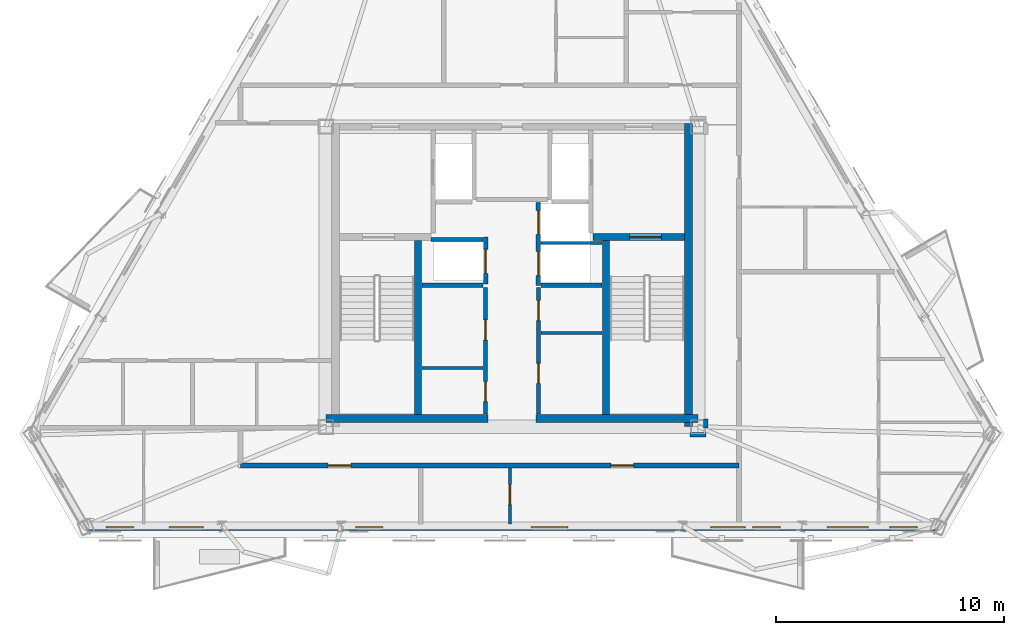
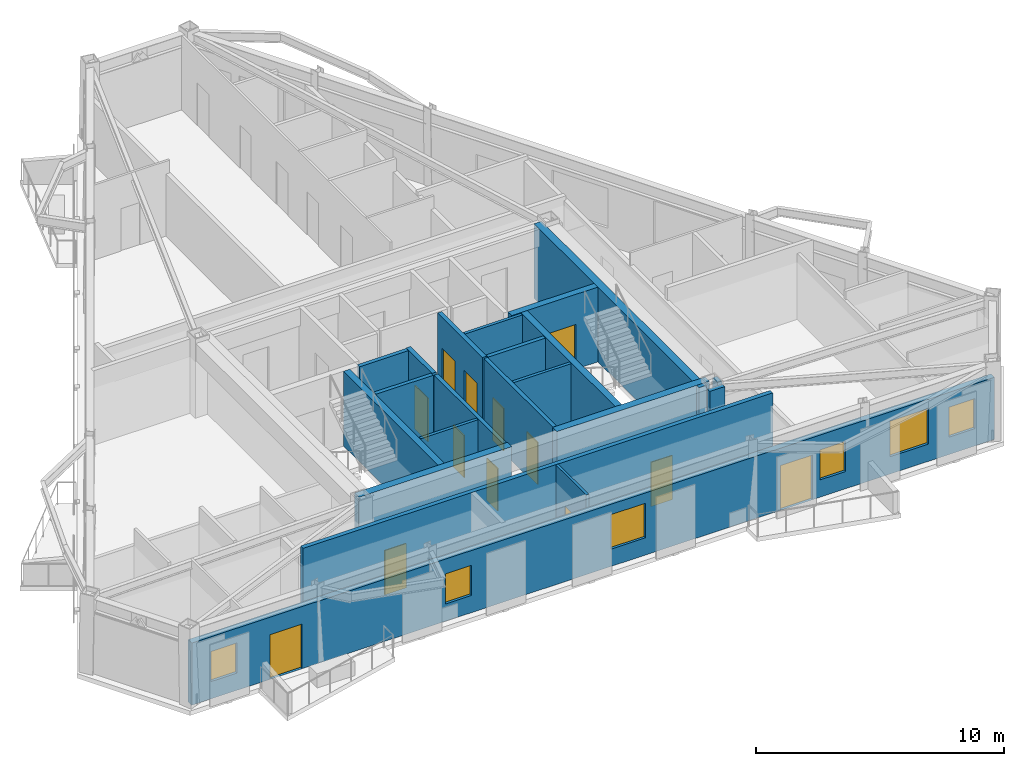
# One storey, part 3 of 9: 21 walls, 13 doors, 6 windows, 19 openings.
"""IFC4 building model written with IfcOpenShell, lengths in metres."""

from ifc_helpers import new_model, si_unit, direction, frame, frame_2d, origin, place, context, subcontext, project, spatial, rectangle, extrude, material, layer, layer_set, type_object, element, fill, save


model = new_model("IFC4")

# Units and contexts
model_context = context("Model", 3, precision=1e-05, world=origin(), true_north=direction((0.0, 1.0)))
body_context = subcontext(model_context, "Body", "Model", "MODEL_VIEW")
ifc_project = project(units=[si_unit("LENGTHUNIT", "METRE"), si_unit("AREAUNIT", "SQUARE_METRE"), si_unit("VOLUMEUNIT", "CUBIC_METRE"), si_unit("PLANEANGLEUNIT", "RADIAN"), si_unit("MASSUNIT", "GRAM", prefix="KILO")], contexts=[model_context])

# Site, building, storey
site_placement = place(None, origin())
site = spatial("IfcSite", under=ifc_project, at=site_placement, CompositionType="ELEMENT")
building_placement = place(site_placement, origin())
building = spatial("IfcBuilding", under=site, at=building_placement, Name="Oramaril Tower", CompositionType="ELEMENT")
storey_placement = place(building_placement, frame((0.0, 0.0, 273.300048828125)))
storey = spatial("IfcBuildingStorey", under=building, at=storey_placement, Name="L72", CompositionType="ELEMENT", Elevation=273.300048828125)

# Wall, openings, doors, windows
ifc_material_1 = material(Name="Warm Cream Limestone", Category="masonry")
ifc_layer_1 = layer(ifc_material_1, 0.2900390625)
ifc_layer_set_1 = layer_set([ifc_layer_1], Name="WT-EXT29")
wall_type_1 = type_object("IfcWallType", Name="WT-EXT29", PredefinedType="SOLIDWALL", material=ifc_layer_set_1)
wall_1_placement = place(storey_placement, frame((18.82861328125, 6.593994140625, 0.0), z_axis=(0.0, 0.0, 1.0), x_axis=(1.0, 0.0, 0.0)))
wall_1 = element("IfcWall", 1, at=wall_1_placement, inside=storey, type_object=wall_type_1, Name="L72 Tower Limestone Facade Wall 2M", PredefinedType="SOLIDWALL", context=body_context, shape_type="SweptSolid", body=[
    extrude(rectangle(XDim=37.3427734375, YDim=0.2900390625, at=frame_2d((18.67138671875, 0.0))), origin(), (0.0, 0.0, 1.0), 3.057861328125),
])
opening_1_placement = place(wall_1_placement, frame((3.639404296875, 0.0, 0.0)))
opening_1 = element("IfcOpeningElement", 2, at=opening_1_placement, cuts=wall_1, Name="Opening D-L72-BAL-S1", PredefinedType="OPENING", context=body_context, shape_type="SweptSolid", body=[
    extrude(rectangle(XDim=1.5, YDim=2.199951171875, at=frame_2d((0.75, 1.10009765625))), frame((0.0, 0.14501953125, 0.0), z_axis=(0.0, -1.0, 0.0), x_axis=(1.0, 0.0, 0.0)), (0.0, 0.0, 1.0), 0.2900390625),
])
opening_2_placement = place(wall_1_placement, frame((27.388427734375, 0.0, 0.0)))
opening_2 = element("IfcOpeningElement", 3, at=opening_2_placement, cuts=wall_1, Name="Opening D-L72-BAL-S2", PredefinedType="OPENING", context=body_context, shape_type="SweptSolid", body=[
    extrude(rectangle(XDim=1.5, YDim=2.199951171875, at=frame_2d((0.75, 1.10009765625))), frame((0.0, 0.14501953125, 0.0), z_axis=(0.0, -1.0, 0.0), x_axis=(1.0, 0.0, 0.0)), (0.0, 0.0, 1.0), 0.2900390625),
])
opening_3_placement = place(wall_1_placement, frame((11.81298828125, 0.0, 0.85009765625)))
opening_3 = element("IfcOpeningElement", 4, at=opening_3_placement, cuts=wall_1, Name="Opening WN-09", PredefinedType="OPENING", context=body_context, shape_type="SweptSolid", body=[
    extrude(rectangle(XDim=1.199951171875, YDim=1.47998046875, at=frame_2d((0.60009765625, 0.739990234375))), frame((0.0, 0.14501953125, 0.0), z_axis=(0.0, -1.0, 0.0), x_axis=(1.0, 0.0, 0.0)), (0.0, 0.0, 1.0), 0.2900390625),
])
opening_4_placement = place(wall_1_placement, frame((0.89697265625, 0.0, 0.85009765625)))
opening_4 = element("IfcOpeningElement", 5, at=opening_4_placement, cuts=wall_1, Name="Opening WN-09", PredefinedType="OPENING", context=body_context, shape_type="SweptSolid", body=[
    extrude(rectangle(XDim=1.199951171875, YDim=1.47998046875, at=frame_2d((0.60009765625, 0.739990234375))), frame((0.0, 0.14501953125, 0.0), z_axis=(0.0, -1.0, 0.0), x_axis=(1.0, 0.0, 0.0)), (0.0, 0.0, 1.0), 0.2900390625),
])
opening_5_placement = place(wall_1_placement, frame((19.51220703125, 0.0, 0.85009765625)))
opening_5 = element("IfcOpeningElement", 6, at=opening_5_placement, cuts=wall_1, Name="Opening WN-07", PredefinedType="OPENING", context=body_context, shape_type="SweptSolid", body=[
    extrude(rectangle(XDim=1.60009765625, YDim=1.699951171875, at=frame_2d((0.800048828125, 0.85009765625))), frame((0.0, 0.14501953125, 0.0), z_axis=(0.0, -1.0, 0.0), x_axis=(1.0, 0.0, 0.0)), (0.0, 0.0, 1.0), 0.2900390625),
])
opening_6_placement = place(wall_1_placement, frame((29.2236328125, 0.0, 0.85009765625)))
opening_6 = element("IfcOpeningElement", 7, at=opening_6_placement, cuts=wall_1, Name="Opening WN-09", PredefinedType="OPENING", context=body_context, shape_type="SweptSolid", body=[
    extrude(rectangle(XDim=1.199951171875, YDim=1.47998046875, at=frame_2d((0.60009765625, 0.739990234375))), frame((0.0, 0.14501953125, 0.0), z_axis=(0.0, -1.0, 0.0), x_axis=(1.0, 0.0, 0.0)), (0.0, 0.0, 1.0), 0.2900390625),
])
opening_7_placement = place(wall_1_placement, frame((32.4775390625, 0.0, 0.85009765625)))
opening_7 = element("IfcOpeningElement", 8, at=opening_7_placement, cuts=wall_1, Name="Opening WN-06", PredefinedType="OPENING", context=body_context, shape_type="SweptSolid", body=[
    extrude(rectangle(XDim=1.800048828125, YDim=1.75, at=frame_2d((0.89990234375, 0.875))), frame((0.0, 0.14501953125, 0.0), z_axis=(0.0, -1.0, 0.0), x_axis=(1.0, 0.0, 0.0)), (0.0, 0.0, 1.0), 0.2900390625),
])
opening_8_placement = place(wall_1_placement, frame((35.22998046875, 0.0, 0.85009765625)))
opening_8 = element("IfcOpeningElement", 9, at=opening_8_placement, cuts=wall_1, Name="Opening WN-09", PredefinedType="OPENING", context=body_context, shape_type="SweptSolid", body=[
    extrude(rectangle(XDim=1.199951171875, YDim=1.47998046875, at=frame_2d((0.60009765625, 0.739990234375))), frame((0.0, 0.14501953125, 0.0), z_axis=(0.0, -1.0, 0.0), x_axis=(1.0, 0.0, 0.0)), (0.0, 0.0, 1.0), 0.2900390625),
])
ifc_material_2 = material(Name="Anodised Aluminium 6063-T6", Category="aluminium")
door_type_1 = type_object("IfcDoorType", Name="DT-BAL", OperationType="NOTDEFINED", PredefinedType="DOOR", material=ifc_material_2)
door_1_placement = place(opening_1_placement, origin())
door_1 = element("IfcDoor", 10, at=door_1_placement, inside=storey, type_object=door_type_1, Name="L72 Balcony Glazed Door L72-BAL-S1", OperationType="SINGLE_SWING_LEFT", OverallHeight=2.199951171875, OverallWidth=1.5, PredefinedType="DOOR", context=body_context, shape_type="SweptSolid", body=[
    extrude(rectangle(XDim=1.5, YDim=2.199951171875, at=frame_2d((0.75, 1.10009765625))), frame((0.0, 0.02490234375, 0.0), z_axis=(0.0, -1.0, 0.0), x_axis=(1.0, 0.0, 0.0)), (0.0, 0.0, 1.0), 0.050048828125),
])
fill(opening_1, door_1)
door_2_placement = place(opening_2_placement, origin())
door_2 = element("IfcDoor", 11, at=door_2_placement, inside=storey, type_object=door_type_1, Name="L72 Balcony Glazed Door L72-BAL-S2", OperationType="SINGLE_SWING_RIGHT", OverallHeight=2.199951171875, OverallWidth=1.5, PredefinedType="DOOR", context=body_context, shape_type="SweptSolid", body=[
    extrude(rectangle(XDim=1.5, YDim=2.199951171875, at=frame_2d((0.75, 1.10009765625))), frame((0.0, 0.02490234375, 0.0), z_axis=(0.0, -1.0, 0.0), x_axis=(1.0, 0.0, 0.0)), (0.0, 0.0, 1.0), 0.050048828125),
])
fill(opening_2, door_2)
ifc_material_3 = material(Name="Coastal Low-E Insulated Glass", Category="glass")
window_type_1 = type_object("IfcWindowType", Name="WNT-06", PartitioningType="SINGLE_PANEL", PredefinedType="WINDOW", material=ifc_material_3)
window_1_placement = place(opening_7_placement, origin())
window_1 = element("IfcWindow", 12, at=window_1_placement, inside=storey, type_object=window_type_1, Name="L72 Chicago Bay Window WN-06", OverallHeight=1.75, OverallWidth=1.800048828125, PartitioningType="SINGLE_PANEL", PredefinedType="WINDOW", context=body_context, shape_type="SweptSolid", body=[
    extrude(rectangle(XDim=1.800048828125, YDim=1.75, at=frame_2d((0.89990234375, 0.875))), frame((0.0, 0.030029296875, 0.0), z_axis=(0.0, -1.0, 0.0), x_axis=(1.0, 0.0, 0.0)), (0.0, 0.0, 1.0), 0.06005859375),
])
fill(opening_7, window_1)
ifc_material_4 = material(Name="Coastal Low-E Insulated Glass", Category="glass")
window_type_2 = type_object("IfcWindowType", Name="WNT-07", PartitioningType="SINGLE_PANEL", PredefinedType="WINDOW", material=ifc_material_4)
window_2_placement = place(opening_5_placement, origin())
window_2 = element("IfcWindow", 13, at=window_2_placement, inside=storey, type_object=window_type_2, Name="L72 Chicago Bay Window WN-07", OverallHeight=1.699951171875, OverallWidth=1.60009765625, PartitioningType="SINGLE_PANEL", PredefinedType="WINDOW", context=body_context, shape_type="SweptSolid", body=[
    extrude(rectangle(XDim=1.60009765625, YDim=1.699951171875, at=frame_2d((0.800048828125, 0.85009765625))), frame((0.0, 0.030029296875, 0.0), z_axis=(0.0, -1.0, 0.0), x_axis=(1.0, 0.0, 0.0)), (0.0, 0.0, 1.0), 0.06005859375),
])
fill(opening_5, window_2)
ifc_material_5 = material(Name="Coastal Low-E Insulated Glass", Category="glass")
window_type_3 = type_object("IfcWindowType", Name="WNT-09", PartitioningType="SINGLE_PANEL", PredefinedType="WINDOW", material=ifc_material_5)
window_3_placement = place(opening_3_placement, origin())
window_3 = element("IfcWindow", 14, at=window_3_placement, inside=storey, type_object=window_type_3, Name="L72 Chicago Bay Window WN-09", OverallHeight=1.47998046875, OverallWidth=1.199951171875, PartitioningType="SINGLE_PANEL", PredefinedType="WINDOW", context=body_context, shape_type="SweptSolid", body=[
    extrude(rectangle(XDim=1.199951171875, YDim=1.47998046875, at=frame_2d((0.60009765625, 0.739990234375))), frame((0.0, 0.030029296875, 0.0), z_axis=(0.0, -1.0, 0.0), x_axis=(1.0, 0.0, 0.0)), (0.0, 0.0, 1.0), 0.06005859375),
])
fill(opening_3, window_3)
window_4_placement = place(opening_4_placement, origin())
window_4 = element("IfcWindow", 15, at=window_4_placement, inside=storey, type_object=window_type_3, Name="L72 Chicago Bay Window WN-09", OverallHeight=1.47998046875, OverallWidth=1.199951171875, PartitioningType="SINGLE_PANEL", PredefinedType="WINDOW", context=body_context, shape_type="SweptSolid", body=[
    extrude(rectangle(XDim=1.199951171875, YDim=1.47998046875, at=frame_2d((0.60009765625, 0.739990234375))), frame((0.0, 0.030029296875, 0.0), z_axis=(0.0, -1.0, 0.0), x_axis=(1.0, 0.0, 0.0)), (0.0, 0.0, 1.0), 0.06005859375),
])
fill(opening_4, window_4)
window_5_placement = place(opening_6_placement, origin())
window_5 = element("IfcWindow", 16, at=window_5_placement, inside=storey, type_object=window_type_3, Name="L72 Chicago Bay Window WN-09", OverallHeight=1.47998046875, OverallWidth=1.199951171875, PartitioningType="SINGLE_PANEL", PredefinedType="WINDOW", context=body_context, shape_type="SweptSolid", body=[
    extrude(rectangle(XDim=1.199951171875, YDim=1.47998046875, at=frame_2d((0.60009765625, 0.739990234375))), frame((0.0, 0.030029296875, 0.0), z_axis=(0.0, -1.0, 0.0), x_axis=(1.0, 0.0, 0.0)), (0.0, 0.0, 1.0), 0.06005859375),
])
fill(opening_6, window_5)
window_6_placement = place(opening_8_placement, origin())
window_6 = element("IfcWindow", 17, at=window_6_placement, inside=storey, type_object=window_type_3, Name="L72 Chicago Bay Window WN-09", OverallHeight=1.47998046875, OverallWidth=1.199951171875, PartitioningType="SINGLE_PANEL", PredefinedType="WINDOW", context=body_context, shape_type="SweptSolid", body=[
    extrude(rectangle(XDim=1.199951171875, YDim=1.47998046875, at=frame_2d((0.60009765625, 0.739990234375))), frame((0.0, 0.030029296875, 0.0), z_axis=(0.0, -1.0, 0.0), x_axis=(1.0, 0.0, 0.0)), (0.0, 0.0, 1.0), 0.06005859375),
])
fill(opening_8, window_6)

# Wall, opening, door
ifc_material_6 = material(Name="Acoustic Gypsum Board Partition")
ifc_layer_2 = layer(ifc_material_6, 0.1201171875)
ifc_layer_set_2 = layer_set([ifc_layer_2], Name="WT-PT12")
wall_type_2 = type_object("IfcWallType", Name="WT-PT12", PredefinedType="PARTITIONING", material=ifc_layer_set_2)
wall_2_placement = place(storey_placement, frame((37.409912109375, 6.7431640625, 0.0), z_axis=(0.0, 0.0, 1.0), x_axis=(0.0, 1.0, 0.0)))
wall_2 = element("IfcWall", 18, at=wall_2_placement, inside=storey, type_object=wall_type_2, Name="L72 Interior Partition PT-12", PredefinedType="PARTITIONING", context=body_context, shape_type="SweptSolid", body=[
    extrude(rectangle(XDim=2.452880859375, YDim=0.1201171875, at=frame_2d((1.2265625, 0.0))), origin(), (0.0, 0.0, 1.0), 3.679931640625),
])
opening_9_placement = place(wall_2_placement, frame((0.839111328125, 0.0, 0.0)))
opening_9 = element("IfcOpeningElement", 19, at=opening_9_placement, cuts=wall_2, Name="Opening D-L72-16", PredefinedType="OPENING", context=body_context, shape_type="SweptSolid", body=[
    extrude(rectangle(XDim=0.8798828125, YDim=2.080078125, at=frame_2d((0.43994140625, 1.0400390625))), frame((0.0, 0.06005859375, 0.0), z_axis=(0.0, -1.0, 0.0), x_axis=(1.0, 0.0, 0.0)), (0.0, 0.0, 1.0), 0.1201171875),
])
ifc_material_7 = material(Name="FSC Brazilian Freijo Hardwood", Category="wood")
door_type_2 = type_object("IfcDoorType", Name="DT-BATH", OperationType="NOTDEFINED", PredefinedType="DOOR", material=ifc_material_7)
door_3_placement = place(opening_9_placement, origin())
door_3 = element("IfcDoor", 20, at=door_3_placement, inside=storey, type_object=door_type_2, Name="L72 Flat L72-U2 Bathroom Door D-L72-16", OperationType="SINGLE_SWING_LEFT", OverallHeight=2.080078125, OverallWidth=0.8798828125, PredefinedType="DOOR", context=body_context, shape_type="SweptSolid", body=[
    extrude(rectangle(XDim=0.8798828125, YDim=2.080078125, at=frame_2d((0.43994140625, 1.0400390625))), frame((0.0, 0.02490234375, 0.0), z_axis=(0.0, -1.0, 0.0), x_axis=(1.0, 0.0, 0.0)), (0.0, 0.0, 1.0), 0.050048828125),
])
fill(opening_9, door_3)

# Walls
ifc_material_8 = material(Name="Acoustic Gypsum Board Partition")
ifc_layer_3 = layer(ifc_material_8, 0.139892578125)
ifc_layer_set_3 = layer_set([ifc_layer_3], Name="WT-PT14")
wall_type_3 = type_object("IfcWallType", Name="WT-PT14", PredefinedType="PARTITIONING", material=ifc_layer_set_3)
for number, where, z_axis, x_axis, name in (
    (21, (33.56005859375, 13.570068359375, 0.0), (0.0, 0.0, 1.0), (1.0, 0.0, 0.0), "L72 Freed Shaft Divider"),
    (22, (38.780029296875, 19.050048828125, 0.0), (0.0, 0.0, 1.0), (1.0, 0.0, 0.0), "L72 High-Rise Lift H2-H3 Divider"),
    (23, (38.780029296875, 15.110107421875, 0.0), (0.0, 0.0, 1.0), (1.0, 0.0, 0.0), "L72 Freed Shaft Divider"),
):
    element("IfcWall", number, at=place(storey_placement, frame(where, z_axis=z_axis, x_axis=x_axis)), inside=storey, type_object=wall_type_3, Name=name, PredefinedType="PARTITIONING", context=body_context, shape_type="SweptSolid", body=[
        extrude(rectangle(XDim=2.659912109375, YDim=0.139892578125, at=frame_2d((1.330078125, 0.0))), origin(), (0.0, 0.0, 1.0), 3.679931640625),
    ])
ifc_material_9 = material(Name="Autoclaved Cellular Concrete Block", Category="concrete")
ifc_layer_4 = layer(ifc_material_9, 0.179931640625)
ifc_layer_set_4 = layer_set([ifc_layer_4], Name="WT-PT18")
wall_type_4 = type_object("IfcWallType", Name="WT-PT18", PredefinedType="PARTITIONING", material=ifc_layer_set_4)
wall_3_placement = place(storey_placement, frame((33.949951171875, 19.199951171875, 0.0), z_axis=(0.0, 0.0, 1.0), x_axis=(1.0, 0.0, 0.0)))
element("IfcWall", 24, at=wall_3_placement, inside=storey, type_object=wall_type_4, Name="L72 High-Rise Lift H1 North Shaft Wall", PredefinedType="PARTITIONING", context=body_context, shape_type="SweptSolid", body=[
    extrude(rectangle(XDim=2.27001953125, YDim=0.179931640625, at=frame_2d((1.135009765625, 0.0))), origin(), (0.0, 0.0, 1.0), 3.679931640625),
])
wall_4_placement = place(storey_placement, frame((33.56005859375, 17.199951171875, 0.0), z_axis=(0.0, 0.0, 1.0), x_axis=(1.0, 0.0, 0.0)))
element("IfcWall", 25, at=wall_4_placement, inside=storey, type_object=wall_type_4, Name="L72 High-Rise Lift H1 South Wall", PredefinedType="PARTITIONING", context=body_context, shape_type="SweptSolid", body=[
    extrude(rectangle(XDim=2.659912109375, YDim=0.179931640625, at=frame_2d((1.330078125, 0.0))), origin(), (0.0, 0.0, 1.0), 3.679931640625),
])

# Wall, openings, doors
wall_5_placement = place(storey_placement, frame((36.340087890625, 11.550048828125, 0.0), z_axis=(0.0, 0.0, 1.0), x_axis=(0.0, 1.0, 0.0)))
wall_5 = element("IfcWall", 26, at=wall_5_placement, inside=storey, type_object=wall_type_4, Name="L72 Freed Shaft Study East Wall", PredefinedType="PARTITIONING", context=body_context, shape_type="SweptSolid", body=[
    extrude(rectangle(XDim=5.550048828125, YDim=0.179931640625, at=frame_2d((2.77490234375, 0.0))), origin(), (0.0, 0.0, 1.0), 3.679931640625),
])
opening_10_placement = place(wall_5_placement, frame((0.550048828125, 0.0, 0.0)))
opening_10 = element("IfcOpeningElement", 27, at=opening_10_placement, cuts=wall_5, Name="Opening D-L72-FL1", PredefinedType="OPENING", context=body_context, shape_type="SweptSolid", body=[
    extrude(rectangle(XDim=0.8798828125, YDim=2.080078125, at=frame_2d((0.43994140625, 1.0400390625))), frame((0.0, 0.08984375, 0.0), z_axis=(0.0, -1.0, 0.0), x_axis=(1.0, 0.0, 0.0)), (0.0, 0.0, 1.0), 0.179931640625),
])
opening_11_placement = place(wall_5_placement, frame((3.25, 0.0, 0.0)))
opening_11 = element("IfcOpeningElement", 28, at=opening_11_placement, cuts=wall_5, Name="Opening D-L72-FL2", PredefinedType="OPENING", context=body_context, shape_type="SweptSolid", body=[
    extrude(rectangle(XDim=0.8798828125, YDim=2.080078125, at=frame_2d((0.43994140625, 1.0400390625))), frame((0.0, 0.08984375, 0.0), z_axis=(0.0, -1.0, 0.0), x_axis=(1.0, 0.0, 0.0)), (0.0, 0.0, 1.0), 0.179931640625),
])
door_4_placement = place(opening_10_placement, origin())
door_4 = element("IfcDoor", 29, at=door_4_placement, inside=storey, type_object=door_type_2, Name="L72 L72 Residents Tasting Dining Nook Door", OperationType="SINGLE_SWING_LEFT", OverallHeight=2.080078125, OverallWidth=0.8798828125, PredefinedType="DOOR", context=body_context, shape_type="SweptSolid", body=[
    extrude(rectangle(XDim=0.8798828125, YDim=2.080078125, at=frame_2d((0.43994140625, 1.0400390625))), frame((0.0, 0.02490234375, 0.0), z_axis=(0.0, -1.0, 0.0), x_axis=(1.0, 0.0, 0.0)), (0.0, 0.0, 1.0), 0.050048828125),
])
fill(opening_10, door_4)
door_5_placement = place(opening_11_placement, origin())
door_5 = element("IfcDoor", 30, at=door_5_placement, inside=storey, type_object=door_type_2, Name="L72 L72 Floor Co-Work Office Door", OperationType="SINGLE_SWING_RIGHT", OverallHeight=2.080078125, OverallWidth=0.8798828125, PredefinedType="DOOR", context=body_context, shape_type="SweptSolid", body=[
    extrude(rectangle(XDim=0.8798828125, YDim=2.080078125, at=frame_2d((0.43994140625, 1.0400390625))), frame((0.0, 0.02490234375, 0.0), z_axis=(0.0, -1.0, 0.0), x_axis=(1.0, 0.0, 0.0)), (0.0, 0.0, 1.0), 0.050048828125),
])
fill(opening_11, door_5)

# Wall
wall_6_placement = place(storey_placement, frame((38.780029296875, 17.199951171875, 0.0), z_axis=(0.0, 0.0, 1.0), x_axis=(1.0, 0.0, 0.0)))
element("IfcWall", 31, at=wall_6_placement, inside=storey, type_object=wall_type_4, Name="L72 High-Rise Lift H2 South Wall", PredefinedType="PARTITIONING", context=body_context, shape_type="SweptSolid", body=[
    extrude(rectangle(XDim=2.659912109375, YDim=0.179931640625, at=frame_2d((1.330078125, 0.0))), origin(), (0.0, 0.0, 1.0), 3.679931640625),
])

# Wall, openings, doors
wall_7_placement = place(storey_placement, frame((38.659912109375, 11.550048828125, 0.0), z_axis=(0.0, 0.0, 1.0), x_axis=(0.0, 1.0, 0.0)))
wall_7 = element("IfcWall", 32, at=wall_7_placement, inside=storey, type_object=wall_type_4, Name="L72 Freed Shaft Alcove West Wall", PredefinedType="PARTITIONING", context=body_context, shape_type="SweptSolid", body=[
    extrude(rectangle(XDim=5.550048828125, YDim=0.179931640625, at=frame_2d((2.77490234375, 0.0))), origin(), (0.0, 0.0, 1.0), 3.679931640625),
])
opening_12_placement = place(wall_7_placement, frame((1.35009765625, 0.0, 0.0)))
opening_12 = element("IfcOpeningElement", 33, at=opening_12_placement, cuts=wall_7, Name="Opening D-L72-FM1", PredefinedType="OPENING", context=body_context, shape_type="SweptSolid", body=[
    extrude(rectangle(XDim=0.8798828125, YDim=2.080078125, at=frame_2d((0.43994140625, 1.0400390625))), frame((0.0, 0.08984375, 0.0), z_axis=(0.0, -1.0, 0.0), x_axis=(1.0, 0.0, 0.0)), (0.0, 0.0, 1.0), 0.179931640625),
])
opening_13_placement = place(wall_7_placement, frame((4.10009765625, 0.0, 0.0)))
opening_13 = element("IfcOpeningElement", 34, at=opening_13_placement, cuts=wall_7, Name="Opening D-L72-FM2", PredefinedType="OPENING", context=body_context, shape_type="SweptSolid", body=[
    extrude(rectangle(XDim=0.8798828125, YDim=2.080078125, at=frame_2d((0.43994140625, 1.0400390625))), frame((0.0, 0.08984375, 0.0), z_axis=(0.0, -1.0, 0.0), x_axis=(1.0, 0.0, 0.0)), (0.0, 0.0, 1.0), 0.179931640625),
])
door_6_placement = place(opening_12_placement, origin())
door_6 = element("IfcDoor", 35, at=door_6_placement, inside=storey, type_object=door_type_2, Name="L72 L72 Private Home Office Door", OperationType="SINGLE_SWING_RIGHT", OverallHeight=2.080078125, OverallWidth=0.8798828125, PredefinedType="DOOR", context=body_context, shape_type="SweptSolid", body=[
    extrude(rectangle(XDim=0.8798828125, YDim=2.080078125, at=frame_2d((0.43994140625, 1.0400390625))), frame((0.0, 0.02490234375, 0.0), z_axis=(0.0, -1.0, 0.0), x_axis=(1.0, 0.0, 0.0)), (0.0, 0.0, 1.0), 0.050048828125),
])
fill(opening_12, door_6)
door_7_placement = place(opening_13_placement, origin())
door_7 = element("IfcDoor", 36, at=door_7_placement, inside=storey, type_object=door_type_2, Name="L72 L72 Sky Tea Dining Alcove Door", OperationType="SINGLE_SWING_LEFT", OverallHeight=2.080078125, OverallWidth=0.8798828125, PredefinedType="DOOR", context=body_context, shape_type="SweptSolid", body=[
    extrude(rectangle(XDim=0.8798828125, YDim=2.080078125, at=frame_2d((0.43994140625, 1.0400390625))), frame((0.0, 0.02490234375, 0.0), z_axis=(0.0, -1.0, 0.0), x_axis=(1.0, 0.0, 0.0)), (0.0, 0.0, 1.0), 0.050048828125),
])
fill(opening_13, door_7)

ifc_material_10 = material(Name="Autoclaved Cellular Concrete Block", Category="concrete")
ifc_layer_5 = layer(ifc_material_10, 0.199951171875)
ifc_layer_set_5 = layer_set([ifc_layer_5], Name="WT-PT20")
wall_type_5 = type_object("IfcWallType", Name="WT-PT20", PredefinedType="PARTITIONING", material=ifc_layer_set_5)
wall_8_placement = place(storey_placement, frame((25.60009765625, 9.300048828125, 0.0), z_axis=(0.0, 0.0, 1.0), x_axis=(1.0, 0.0, 0.0)))
wall_8 = element("IfcWall", 37, at=wall_8_placement, inside=storey, type_object=wall_type_5, Name="L72 Interior Partition PT-20", PredefinedType="PARTITIONING", context=body_context, shape_type="SweptSolid", body=[
    extrude(rectangle(XDim=21.849853515625, YDim=0.199951171875, at=frame_2d((10.9248046875, 0.0))), origin(), (0.0, 0.0, 1.0), 3.679931640625),
])
opening_14_placement = place(wall_8_placement, frame((3.841064453125, 0.0, 0.0)))
opening_14 = element("IfcOpeningElement", 38, at=opening_14_placement, cuts=wall_8, Name="Opening D-L72-01", PredefinedType="OPENING", context=body_context, shape_type="SweptSolid", body=[
    extrude(rectangle(XDim=1.0, YDim=2.179931640625, at=frame_2d((0.5, 1.08984375))), frame((0.0, 0.10009765625, 0.0), z_axis=(0.0, -1.0, 0.0), x_axis=(1.0, 0.0, 0.0)), (0.0, 0.0, 1.0), 0.199951171875),
])
opening_15_placement = place(wall_8_placement, frame((16.232421875, 0.0, 0.0)))
opening_15 = element("IfcOpeningElement", 39, at=opening_15_placement, cuts=wall_8, Name="Opening D-L72-02", PredefinedType="OPENING", context=body_context, shape_type="SweptSolid", body=[
    extrude(rectangle(XDim=1.0, YDim=2.179931640625, at=frame_2d((0.5, 1.08984375))), frame((0.0, 0.10009765625, 0.0), z_axis=(0.0, -1.0, 0.0), x_axis=(1.0, 0.0, 0.0)), (0.0, 0.0, 1.0), 0.199951171875),
])
ifc_material_11 = material(Name="FSC Brazilian Freijo Hardwood", Category="wood")
door_type_3 = type_object("IfcDoorType", Name="DT-APT", OperationType="NOTDEFINED", PredefinedType="DOOR", material=ifc_material_11)
door_8_placement = place(opening_14_placement, origin())
door_8 = element("IfcDoor", 40, at=door_8_placement, inside=storey, type_object=door_type_3, Name="L72 Flat L72-U1 Kitchen and Studio Apartment Door D-L72-01", OperationType="SINGLE_SWING_RIGHT", OverallHeight=2.179931640625, OverallWidth=1.0, PredefinedType="DOOR", context=body_context, shape_type="SweptSolid", body=[
    extrude(rectangle(XDim=1.0, YDim=2.179931640625, at=frame_2d((0.5, 1.08984375))), frame((0.0, 0.02490234375, 0.0), z_axis=(0.0, -1.0, 0.0), x_axis=(1.0, 0.0, 0.0)), (0.0, 0.0, 1.0), 0.050048828125),
])
fill(opening_14, door_8)
door_9_placement = place(opening_15_placement, origin())
door_9 = element("IfcDoor", 41, at=door_9_placement, inside=storey, type_object=door_type_3, Name="L72 Flat L72-U2 Kitchen and Studio Apartment Door D-L72-02", OperationType="SINGLE_SWING_LEFT", OverallHeight=2.179931640625, OverallWidth=1.0, PredefinedType="DOOR", context=body_context, shape_type="SweptSolid", body=[
    extrude(rectangle(XDim=1.0, YDim=2.179931640625, at=frame_2d((0.5, 1.08984375))), frame((0.0, 0.02490234375, 0.0), z_axis=(0.0, -1.0, 0.0), x_axis=(1.0, 0.0, 0.0)), (0.0, 0.0, 1.0), 0.050048828125),
])
fill(opening_15, door_9)

# Walls
wall_9_placement = place(storey_placement, frame((45.304931640625, 10.64990234375, 0.0), z_axis=(0.0, 0.0, 1.0), x_axis=(1.0, 0.0, 0.0)))
element("IfcWall", 42, at=wall_9_placement, inside=storey, type_object=wall_type_5, Name="L72 Interior Partition PT-20", PredefinedType="PARTITIONING", context=body_context, shape_type="SweptSolid", body=[
    extrude(rectangle(XDim=0.690185546875, YDim=0.199951171875, at=frame_2d((0.34521484375, 0.0))), origin(), (0.0, 0.0, 1.0), 3.679931640625),
])
wall_10_placement = place(storey_placement, frame((45.989990234375, 10.949951171875, 0.0), z_axis=(0.0, 0.0, 1.0), x_axis=(0.0, 1.0, 0.0)))
element("IfcWall", 43, at=wall_10_placement, inside=storey, type_object=wall_type_5, Name="L72 Interior Partition PT-20", PredefinedType="PARTITIONING", context=body_context, shape_type="SweptSolid", body=[
    extrude(rectangle(XDim=0.39013671875, YDim=0.199951171875, at=frame_2d((0.195068359375, 0.0))), origin(), (0.0, 0.0, 1.0), 3.679931640625),
])

# Wall, opening, door
ifc_material_12 = material(Name="Concrete C50/60", Category="concrete")
ifc_layer_6 = layer(ifc_material_12, 0.300048828125)
ifc_layer_set_6 = layer_set([ifc_layer_6], Name="WT-SH30")
wall_type_6 = type_object("IfcWallType", Name="WT-SH30", PredefinedType="SHEAR", material=ifc_layer_set_6)
wall_11_placement = place(storey_placement, frame((41.050048828125, 19.31005859375, 0.0), z_axis=(0.0, 0.0, 1.0), x_axis=(1.0, 0.0, 0.0)))
wall_11 = element("IfcWall", 44, at=wall_11_placement, inside=storey, type_object=wall_type_6, Name="L72 Core Shear Wall CW-ST2N", PredefinedType="SHEAR", context=body_context, shape_type="SweptSolid", body=[
    extrude(rectangle(XDim=4.010009765625, YDim=0.300048828125, at=frame_2d((2.0048828125, 0.0))), origin(), (0.0, 0.0, 1.0), 3.679931640625),
])
opening_16_placement = place(wall_11_placement, frame((1.60009765625, 0.0, 0.0)))
opening_16 = element("IfcOpeningElement", 45, at=opening_16_placement, cuts=wall_11, Name="Opening D-L72-ST2", PredefinedType="OPENING", context=body_context, shape_type="SweptSolid", body=[
    extrude(rectangle(XDim=1.39990234375, YDim=2.199951171875, at=frame_2d((0.699951171875, 1.10009765625))), frame((0.0, 0.14990234375, 0.0), z_axis=(0.0, -1.0, 0.0), x_axis=(1.0, 0.0, 0.0)), (0.0, 0.0, 1.0), 0.300048828125),
])
ifc_material_13 = material(Name="Painted Galvanised Steel", Category="steel")
door_type_4 = type_object("IfcDoorType", Name="DT-ST", OperationType="NOTDEFINED", PredefinedType="DOOR", material=ifc_material_13)
door_10_placement = place(opening_16_placement, origin())
door_10 = element("IfcDoor", 46, at=door_10_placement, inside=storey, type_object=door_type_4, Name="L72 Protected Stair ST-2 Fire Door", OperationType="SINGLE_SWING_RIGHT", OverallHeight=2.199951171875, OverallWidth=1.39990234375, PredefinedType="DOOR", context=body_context, shape_type="SweptSolid", body=[
    extrude(rectangle(XDim=1.39990234375, YDim=2.199951171875, at=frame_2d((0.699951171875, 1.10009765625))), frame((0.0, 0.02490234375, 0.0), z_axis=(0.0, -1.0, 0.0), x_axis=(1.0, 0.0, 0.0)), (0.0, 0.0, 1.0), 0.050048828125),
])
fill(opening_16, door_10)

# Walls
for number, where, z_axis, x_axis, name in (
    (47, (33.3798828125, 11.5400390625, 0.0), (0.0, 0.0, 1.0), (0.0, 1.0, 0.0), "L72 Core Shear Wall CW-ST1E"),
    (48, (41.6201171875, 11.5400390625, 0.0), (0.0, 0.0, 1.0), (0.0, 1.0, 0.0), "L72 Core Shear Wall CW-ST2W"),
):
    element("IfcWall", number, at=place(storey_placement, frame(where, z_axis=z_axis, x_axis=x_axis)), inside=storey, type_object=wall_type_6, Name=name, PredefinedType="SHEAR", context=body_context, shape_type="SweptSolid", body=[
        extrude(rectangle(XDim=7.619873046875, YDim=0.300048828125, at=frame_2d((3.81005859375, 0.0))), origin(), (0.0, 0.0, 1.0), 3.679931640625),
    ])
ifc_material_14 = material(Name="Concrete C50/60", Category="concrete")
ifc_layer_7 = layer(ifc_material_14, 0.35009765625)
ifc_layer_set_7 = layer_set([ifc_layer_7], Name="WT-SH35")
wall_type_7 = type_object("IfcWallType", Name="WT-SH35", PredefinedType="SHEAR", material=ifc_layer_set_7)
wall_12_placement = place(storey_placement, frame((45.235107421875, 11.0, 0.0), z_axis=(0.0, 0.0, 1.0), x_axis=(0.0, 1.0, 0.0)))
element("IfcWall", 49, at=wall_12_placement, inside=storey, type_object=wall_type_7, Name="L72 Core Shear Wall CW-E", PredefinedType="SHEAR", context=body_context, shape_type="SweptSolid", body=[
    extrude(rectangle(XDim=13.300048828125, YDim=0.35009765625, at=frame_2d((6.64990234375, 0.0))), origin(), (0.0, 0.0, 1.0), 3.679931640625),
])
for number, where, z_axis, x_axis, name in (
    (50, (29.35009765625, 11.364990234375, 0.0), (0.0, 0.0, 1.0), (1.0, 0.0, 0.0), "L72 Core Shear Wall CW-SW"),
    (51, (38.550048828125, 11.364990234375, 0.0), (0.0, 0.0, 1.0), (1.0, 0.0, 0.0), "L72 Core Shear Wall CW-SE"),
):
    element("IfcWall", number, at=place(storey_placement, frame(where, z_axis=z_axis, x_axis=x_axis)), inside=storey, type_object=wall_type_7, Name=name, PredefinedType="SHEAR", context=body_context, shape_type="SweptSolid", body=[
        extrude(rectangle(XDim=7.099853515625, YDim=0.35009765625, at=frame_2d((3.5498046875, 0.0))), origin(), (0.0, 0.0, 1.0), 3.679931640625),
    ])

# Wall, opening, door
ifc_material_15 = material(Name="Autoclaved Cellular Concrete Block", Category="concrete")
ifc_layer_8 = layer(ifc_material_15, 0.199951171875)
ifc_layer_set_8 = layer_set([ifc_layer_8], Name="WT-SHF20")
wall_type_8 = type_object("IfcWallType", Name="WT-SHF20", PredefinedType="PARTITIONING", material=ifc_layer_set_8)
wall_13_placement = place(storey_placement, frame((36.340087890625, 17.25, 0.0), z_axis=(0.0, 0.0, 1.0), x_axis=(0.0, 1.0, 0.0)))
wall_13 = element("IfcWall", 52, at=wall_13_placement, inside=storey, type_object=wall_type_8, Name="L72 High-Rise Lift H1 Front Wall", PredefinedType="PARTITIONING", context=body_context, shape_type="SweptSolid", body=[
    extrude(rectangle(XDim=2.070068359375, YDim=0.199951171875, at=frame_2d((1.03515625, 0.0))), origin(), (0.0, 0.0, 1.0), 3.679931640625),
])
opening_17_placement = place(wall_13_placement, frame((0.47509765625, 0.0, 0.0)))
opening_17 = element("IfcOpeningElement", 53, at=opening_17_placement, cuts=wall_13, Name="Opening LD-L72-LP-H1", PredefinedType="OPENING", context=body_context, shape_type="SweptSolid", body=[
    extrude(rectangle(XDim=1.050048828125, YDim=2.14990234375, at=frame_2d((0.52490234375, 1.074951171875))), frame((0.0, 0.10009765625, 0.0), z_axis=(0.0, -1.0, 0.0), x_axis=(1.0, 0.0, 0.0)), (0.0, 0.0, 1.0), 0.199951171875),
])
ifc_material_16 = material(Name="Stainless Steel 316L", Category="steel")
door_type_5 = type_object("IfcDoorType", Name="DT-LD2", OperationType="NOTDEFINED", PredefinedType="DOOR", material=ifc_material_16)
door_11_placement = place(opening_17_placement, origin())
door_11 = element("IfcDoor", 54, at=door_11_placement, inside=storey, type_object=door_type_5, Name="L72 Lift LP-H1 Sliding Landing Door", OperationType="SLIDING_TO_LEFT", OverallHeight=2.14990234375, OverallWidth=1.050048828125, PredefinedType="DOOR", context=body_context, shape_type="SweptSolid", body=[
    extrude(rectangle(XDim=1.050048828125, YDim=2.14990234375, at=frame_2d((0.52490234375, 1.074951171875))), frame((0.0, 0.02490234375, 0.0), z_axis=(0.0, -1.0, 0.0), x_axis=(1.0, 0.0, 0.0)), (0.0, 0.0, 1.0), 0.050048828125),
])
fill(opening_17, door_11)

# Wall, openings, doors
wall_14_placement = place(storey_placement, frame((38.659912109375, 17.199951171875, 0.0), z_axis=(0.0, 0.0, 1.0), x_axis=(0.0, 1.0, 0.0)))
wall_14 = element("IfcWall", 55, at=wall_14_placement, inside=storey, type_object=wall_type_8, Name="L72 High-Rise Lift H2-H3 Front Wall", PredefinedType="PARTITIONING", context=body_context, shape_type="SweptSolid", body=[
    extrude(rectangle(XDim=3.6201171875, YDim=0.199951171875, at=frame_2d((1.81005859375, 0.0))), origin(), (0.0, 0.0, 1.0), 3.679931640625),
])
opening_18_placement = place(wall_14_placement, frame((0.425048828125, 0.0, 0.0)))
opening_18 = element("IfcOpeningElement", 56, at=opening_18_placement, cuts=wall_14, Name="Opening LD-L72-LP-H2", PredefinedType="OPENING", context=body_context, shape_type="SweptSolid", body=[
    extrude(rectangle(XDim=1.050048828125, YDim=2.14990234375, at=frame_2d((0.52490234375, 1.074951171875))), frame((0.0, 0.10009765625, 0.0), z_axis=(0.0, -1.0, 0.0), x_axis=(1.0, 0.0, 0.0)), (0.0, 0.0, 1.0), 0.199951171875),
])
opening_19_placement = place(wall_14_placement, frame((2.22509765625, 0.0, 0.0)))
opening_19 = element("IfcOpeningElement", 57, at=opening_19_placement, cuts=wall_14, Name="Opening LD-L72-LP-H3", PredefinedType="OPENING", context=body_context, shape_type="SweptSolid", body=[
    extrude(rectangle(XDim=1.050048828125, YDim=2.14990234375, at=frame_2d((0.52490234375, 1.074951171875))), frame((0.0, 0.10009765625, 0.0), z_axis=(0.0, -1.0, 0.0), x_axis=(1.0, 0.0, 0.0)), (0.0, 0.0, 1.0), 0.199951171875),
])
door_12_placement = place(opening_18_placement, origin())
door_12 = element("IfcDoor", 58, at=door_12_placement, inside=storey, type_object=door_type_5, Name="L72 Lift LP-H2 Sliding Landing Door", OperationType="SLIDING_TO_RIGHT", OverallHeight=2.14990234375, OverallWidth=1.050048828125, PredefinedType="DOOR", context=body_context, shape_type="SweptSolid", body=[
    extrude(rectangle(XDim=1.050048828125, YDim=2.14990234375, at=frame_2d((0.52490234375, 1.074951171875))), frame((0.0, 0.02490234375, 0.0), z_axis=(0.0, -1.0, 0.0), x_axis=(1.0, 0.0, 0.0)), (0.0, 0.0, 1.0), 0.050048828125),
])
fill(opening_18, door_12)
door_13_placement = place(opening_19_placement, origin())
door_13 = element("IfcDoor", 59, at=door_13_placement, inside=storey, type_object=door_type_5, Name="L72 Lift LP-H3 Sliding Landing Door", OperationType="SLIDING_TO_LEFT", OverallHeight=2.14990234375, OverallWidth=1.050048828125, PredefinedType="DOOR", context=body_context, shape_type="SweptSolid", body=[
    extrude(rectangle(XDim=1.050048828125, YDim=2.14990234375, at=frame_2d((0.52490234375, 1.074951171875))), frame((0.0, 0.02490234375, 0.0), z_axis=(0.0, -1.0, 0.0), x_axis=(1.0, 0.0, 0.0)), (0.0, 0.0, 1.0), 0.050048828125),
])
fill(opening_19, door_13)

save(model, "model.ifc")
